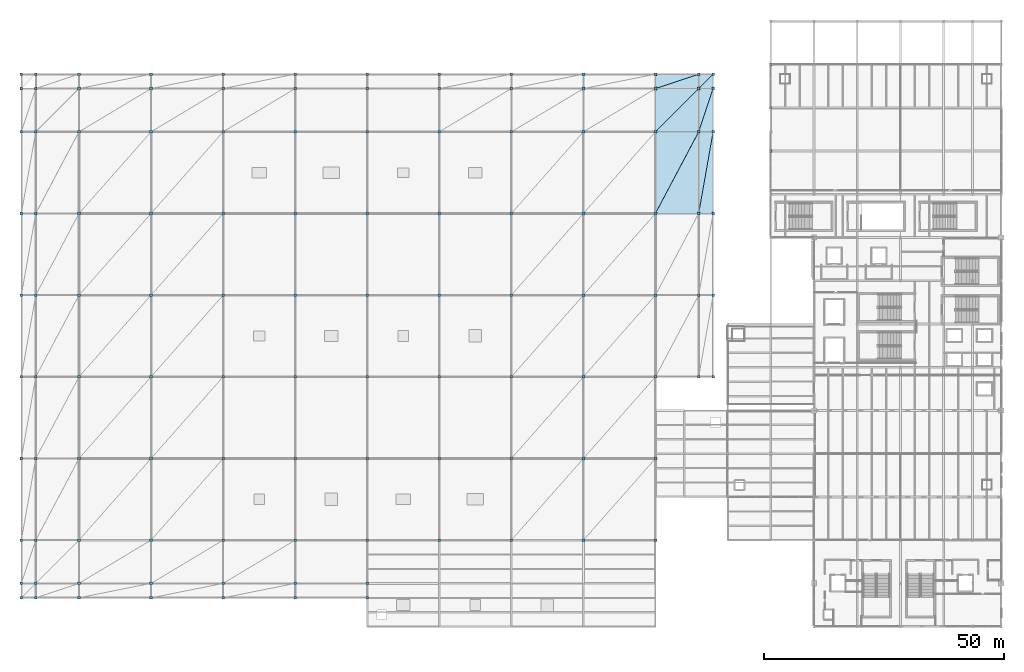
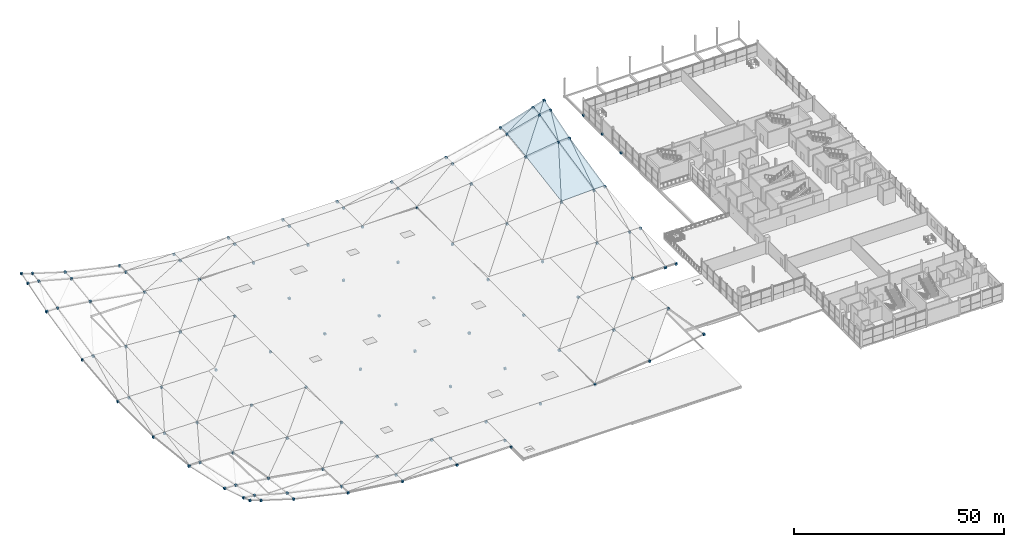
# One storey, part 57 of 69: 117 discrete accessories, 12 roofs.
"""IFC4 building model written with IfcOpenShell, lengths in metres."""

from ifc_helpers import new_model, si_unit, direction, frame, origin, origin_2d, place, context, subcontext, project, spatial, polyline, rectangle, outline, extrude, material, layer, layer_set, type_object, element, save


model = new_model("IFC4")

# Units and contexts
model_context = context("Model", 3, precision=1e-05, world=origin(), true_north=direction((0.0, 1.0)))
body_context = subcontext(model_context, "Body", "Model", "MODEL_VIEW")
ifc_project = project(units=[si_unit("LENGTHUNIT", "METRE"), si_unit("AREAUNIT", "SQUARE_METRE"), si_unit("VOLUMEUNIT", "CUBIC_METRE"), si_unit("PLANEANGLEUNIT", "RADIAN"), si_unit("MASSUNIT", "GRAM", prefix="KILO")], contexts=[model_context])

# Site, building, storey
site_placement = place(None, origin())
site = spatial("IfcSite", under=ifc_project, at=site_placement, CompositionType="ELEMENT")
building_placement = place(site_placement, origin())
building = spatial("IfcBuilding", under=site, at=building_placement, Name="Qamarlyn Nura Convention Centre", CompositionType="ELEMENT")
storey_placement = place(building_placement, frame((0.0, 0.0, 15.60009765625)))
storey = spatial("IfcBuildingStorey", under=building, at=storey_placement, Name="L03", CompositionType="ELEMENT", Elevation=15.60009765625)

# Roofs
ifc_material_1 = material(Name="High-albedo standing-seam insulated steel roof", Category="steel")
ifc_layer = layer(ifc_material_1, 0.199951171875, Name="ROOF-CROWN-FREE")
ifc_layer_set = layer_set([ifc_layer], Name="High-albedo standing-seam insulated steel roof")
roof_type = type_object("IfcRoofType", Name="ROOF-CROWN-FREE", PredefinedType="FREEFORM", material=ifc_layer_set)
roof_1_placement = place(storey_placement, frame((120.0, 86.0, 1.663818359375), z_axis=(-0.037809577031, -0.211053467336, 0.976742990664), x_axis=(0.999251614623, 0.0, 0.038680882543)))
element("IfcRoof", 1, at=roof_1_placement, inside=storey, type_object=roof_type, Name="Exhibition swept roof facet 10-6A", PredefinedType="FREEFORM", context=body_context, shape_type="SweptSolid", body=[
    extrude(outline(polyline([(0.0, 0.0), (9.006740512898704, -1.3877787807814457e-17), (9.148828539935437, 17.391757720260884), (0.0, 0.0)])), origin(), (0.0, 0.0, -1.0), 0.199951171875),
])
roof_2_placement = place(storey_placement, frame((120.0, 86.0, 1.663818359375), z_axis=(-0.129481811388, -0.162846477275, 0.978118339138), x_axis=(0.457984547754, 0.865081923535, 0.204654390602)))
element("IfcRoof", 2, at=roof_2_placement, inside=storey, type_object=roof_type, Name="Exhibition swept roof facet 10-6B", PredefinedType="FREEFORM", context=body_context, shape_type="SweptSolid", body=[
    extrude(outline(polyline([(0.0, 0.0), (19.651318028401842, -3.885780586188048e-16), (15.285630578566401, 7.95991343815298), (0.0, 0.0)])), origin(), (0.0, 0.0, -1.0), 0.199951171875),
])
roof_3_placement = place(storey_placement, frame((120.0, 103.0, 4.494140625), z_axis=(-0.126718238073, -0.260058023422, 0.95724203449), x_axis=(0.991351473464, 0.0, 0.131233593492)))
element("IfcRoof", 3, at=roof_3_placement, inside=storey, type_object=roof_type, Name="Exhibition swept roof facet 10-7A", PredefinedType="FREEFORM", context=body_context, shape_type="SweptSolid", body=[
    extrude(outline(polyline([(0.0, 0.0), (9.078515784672023, -1.1102230246251565e-16), (9.399390891807375, 9.320697315525143), (0.0, 0.0)])), origin(), (0.0, 0.0, -1.0), 0.199951171875),
])
roof_4_placement = place(storey_placement, frame((120.0, 103.0, 4.494140625), z_axis=(-0.260058023422, -0.126718238073, 0.95724203449), x_axis=(0.679901155587, 0.679901155587, 0.27471592102)))
element("IfcRoof", 4, at=roof_4_placement, inside=storey, type_object=roof_type, Name="Exhibition swept roof facet 10-7B", PredefinedType="FREEFORM", context=body_context, shape_type="SweptSolid", body=[
    extrude(outline(polyline([(0.0, 0.0), (13.237218272153294, -1.1102230246251565e-16), (6.446408665564345, 6.392438045775334), (0.0, 0.0)])), origin(), (0.0, 0.0, -1.0), 0.199951171875),
])
roof_5_placement = place(storey_placement, frame((120.0, 112.0, 5.685546875), z_axis=(-0.259895092204, -0.131491605811, 0.956642304443), x_axis=(0.965021310393, 0.0, 0.262171452463)))
element("IfcRoof", 5, at=roof_5_placement, inside=storey, type_object=roof_type, Name="Exhibition swept roof facet 10-8A", PredefinedType="FREEFORM", context=body_context, shape_type="SweptSolid", body=[
    extrude(outline(polyline([(0.0, 0.0), (9.326218916689484, 5.551115123125783e-17), (9.434326236809053, 3.0262762975618833), (0.0, 0.0)])), origin(), (0.0, 0.0, -1.0), 0.199951171875),
])
roof_6_placement = place(storey_placement, frame((120.0, 112.0, 5.685546875), z_axis=(-0.292610116909, -0.032431581133, 0.955681700164), x_axis=(0.908373558823, 0.302791186274, 0.288400719739)))
element("IfcRoof", 6, at=roof_6_placement, inside=storey, type_object=roof_type, Name="Exhibition swept roof facet 10-8B", PredefinedType="FREEFORM", context=body_context, shape_type="SweptSolid", body=[
    extrude(outline(polyline([(0.0, 0.0), (9.907818113577202, 2.220446049250313e-16), (0.9377346672533607, 2.8514940445153623), (0.0, 0.0)])), origin(), (0.0, 0.0, -1.0), 0.199951171875),
])
roof_7_placement = place(storey_placement, frame((129.0, 86.0, 2.01220703125), z_axis=(-0.008264592347, -0.215388926235, 0.976493372721), x_axis=(0.999964186155, 0.0, 0.008463238555)))
element("IfcRoof", 7, at=roof_7_placement, inside=storey, type_object=roof_type, Name="Exhibition swept roof facet 11-6A", PredefinedType="FREEFORM", context=body_context, shape_type="SweptSolid", body=[
    extrude(outline(polyline([(0.0, 0.0), (3.00010744538223, 0.0), (3.031842523742003, 17.40860884418162), (0.0, 0.0)])), origin(), (0.0, 0.0, -1.0), 0.199951171875),
])
roof_8_placement = place(storey_placement, frame((129.0, 86.0, 2.01220703125), z_axis=(-0.033151792737, -0.211088393366, 0.976904626268), x_axis=(0.169773079919, 0.962047452873, 0.213639415266)))
element("IfcRoof", 8, at=roof_8_placement, inside=storey, type_object=roof_type, Name="Exhibition swept roof facet 11-6B", PredefinedType="FREEFORM", context=body_context, shape_type="SweptSolid", body=[
    extrude(outline(polyline([(0.0, 0.0), (17.67064602606506, -4.371503159461554e-16), (17.139576875135372, 2.954374747557622), (0.0, 0.0)])), origin(), (0.0, 0.0, -1.0), 0.199951171875),
])
roof_9_placement = place(storey_placement, frame((129.0, 103.0, 5.685546875), z_axis=(-0.032431581133, -0.292610116909, 0.955681700164), x_axis=(0.999424686189, 0.0, 0.033916023286)))
element("IfcRoof", 9, at=roof_9_placement, inside=storey, type_object=roof_type, Name="Exhibition swept roof facet 11-7A", PredefinedType="FREEFORM", context=body_context, shape_type="SweptSolid", body=[
    extrude(outline(polyline([(0.0, 0.0), (3.001726934961831, -3.469446951953614e-18), (3.09518644541872, 9.411943510233407), (0.0, 0.0)])), origin(), (0.0, 0.0, -1.0), 0.199951171875),
])
roof_10_placement = place(storey_placement, frame((129.0, 103.0, 5.685546875), z_axis=(-0.131491605811, -0.259895092204, 0.956642304443), x_axis=(0.302791186274, 0.908373558823, 0.288400719739)))
element("IfcRoof", 10, at=roof_10_placement, inside=storey, type_object=roof_type, Name="Exhibition swept roof facet 11-7B", PredefinedType="FREEFORM", context=body_context, shape_type="SweptSolid", body=[
    extrude(outline(polyline([(0.0, 0.0), (9.907818113577202, -3.191891195797325e-16), (8.880521504061106, 2.848630740886756), (0.0, 0.0)])), origin(), (0.0, 0.0, -1.0), 0.199951171875),
])
roof_11_placement = place(storey_placement, frame((129.0, 112.0, 8.130615234375), z_axis=(-0.128828239555, -0.323939332973, 0.937265487067), x_axis=(0.990685366619, 0.0, 0.136170864601)))
element("IfcRoof", 11, at=roof_11_placement, inside=storey, type_object=roof_type, Name="Exhibition swept roof facet 11-8A", PredefinedType="FREEFORM", context=body_context, shape_type="SweptSolid", body=[
    extrude(outline(polyline([(0.0, 0.0), (3.0282066346021197, 0.0), (3.1693974700419374, 3.1709863863226104), (0.0, 0.0)])), origin(), (0.0, 0.0, -1.0), 0.199951171875),
])
roof_12_placement = place(storey_placement, frame((129.0, 112.0, 8.130615234375), z_axis=(-0.323939332973, -0.128828239555, 0.937265487067), x_axis=(0.669145693701, 0.669145693701, 0.323246161931)))
element("IfcRoof", 12, at=roof_12_placement, inside=storey, type_object=roof_type, Name="Exhibition swept roof facet 11-8B", PredefinedType="FREEFORM", context=body_context, shape_type="SweptSolid", body=[
    extrude(outline(polyline([(0.0, 0.0), (4.483328560941254, 0.0), (2.1407287723871846, 2.141801985460364), (0.0, 0.0)])), origin(), (0.0, 0.0, -1.0), 0.199951171875),
])

# Discrete accessories
ifc_material_2 = material(Name="Pearl-white PVDF steel ASTM A500 Grade C", Category="steel")
discrete_accessory_type = type_object("IfcDiscreteAccessoryType", Name="ACC-SF-NODE", PredefinedType="USERDEFINED", material=ifc_material_2)
for number, where, z_axis, x_axis, name in (
    (13, (-12.0, 6.0, 8.919921875), (0.0, 0.0, 1.0), (1.0, 0.0, 0.0), "Cast space frame node TC-0-0"),
    (14, (-12.0, 9.0, 7.8828125), (0.0, 0.0, 1.0), (1.0, 0.0, 0.0), "Cast space frame node TC-0-1"),
    (15, (-12.0, 18.0, 5.127197265625), (0.0, 0.0, 1.0), (1.0, 0.0, 0.0), "Cast space frame node TC-0-2"),
    (16, (-12.0, 35.0, 1.37744140625), (0.0, 0.0, 1.0), (1.0, 0.0, 0.0), "Cast space frame node TC-0-3"),
    (17, (-12.0, 52.0, -0.469482421875), (0.0, 0.0, 1.0), (1.0, 0.0, 0.0), "Cast space frame node TC-0-4"),
    (18, (-12.0, 69.0, -0.469482421875), (0.0, 0.0, 1.0), (1.0, 0.0, 0.0), "Cast space frame node TC-0-5"),
    (19, (-12.0, 86.0, 1.37744140625), (0.0, 0.0, 1.0), (1.0, 0.0, 0.0), "Cast space frame node TC-0-6"),
    (20, (-12.0, 103.0, 5.127197265625), (0.0, 0.0, 1.0), (1.0, 0.0, 0.0), "Cast space frame node TC-0-7"),
    (21, (-12.0, 112.0, 7.8828125), (0.0, 0.0, 1.0), (1.0, 0.0, 0.0), "Cast space frame node TC-0-8"),
    (22, (-12.0, 115.0, 8.919921875), (0.0, 0.0, 1.0), (1.0, 0.0, 0.0), "Cast space frame node TC-0-9"),
    (23, (-9.0, 6.0, 7.8828125), (0.0, 0.0, 1.0), (1.0, 0.0, 0.0), "Cast space frame node TC-1-0"),
    (24, (-9.0, 9.0, 7.470703125), (0.0, 0.0, 1.0), (1.0, 0.0, 0.0), "Cast space frame node TC-1-1"),
    (25, (-9.0, 18.0, 5.025634765625), (0.0, 0.0, 1.0), (1.0, 0.0, 0.0), "Cast space frame node TC-1-2"),
    (26, (-9.0, 35.0, 1.35205078125), (0.0, 0.0, 1.0), (1.0, 0.0, 0.0), "Cast space frame node TC-1-3"),
    (27, (-9.0, 52.0, -0.474609375), (0.0, 0.0, 1.0), (1.0, 0.0, 0.0), "Cast space frame node TC-1-4"),
    (28, (-9.0, 69.0, -0.474609375), (0.0, 0.0, 1.0), (1.0, 0.0, 0.0), "Cast space frame node TC-1-5"),
    (29, (-9.0, 86.0, 1.35205078125), (0.0, 0.0, 1.0), (1.0, 0.0, 0.0), "Cast space frame node TC-1-6"),
    (30, (-9.0, 103.0, 5.025634765625), (0.0, 0.0, 1.0), (1.0, 0.0, 0.0), "Cast space frame node TC-1-7"),
    (31, (-9.0, 112.0, 7.470703125), (0.0, 0.0, 1.0), (1.0, 0.0, 0.0), "Cast space frame node TC-1-8"),
    (32, (-9.0, 115.0, 7.8828125), (0.0, 0.0, 1.0), (1.0, 0.0, 0.0), "Cast space frame node TC-1-9"),
    (33, (120.0, 18.0, 3.833984375), (0.0, 0.0, 1.0), (1.0, 0.0, 0.0), "Cast space frame node TC-10-2"),
    (34, (120.0, 35.0, 1.003662109375), (0.0, 0.0, 1.0), (1.0, 0.0, 0.0), "Cast space frame node TC-10-3"),
    (35, (120.0, 52.0, -0.542724609375), (0.0, 0.0, 1.0), (1.0, 0.0, 0.0), "Cast space frame node TC-10-4"),
    (36, (120.0, 69.0, -0.542724609375), (0.0, 0.0, 1.0), (1.0, 0.0, 0.0), "Cast space frame node TC-10-5"),
    (37, (120.0, 86.0, 1.003662109375), (0.0, 0.0, 1.0), (1.0, 0.0, 0.0), "Cast space frame node TC-10-6"),
    (38, (120.0, 103.0, 3.833984375), (0.0, 0.0, 1.0), (1.0, 0.0, 0.0), "Cast space frame node TC-10-7"),
    (39, (120.0, 112.0, 5.025634765625), (0.0, 0.0, 1.0), (1.0, 0.0, 0.0), "Cast space frame node TC-10-8"),
    (40, (120.0, 115.0, 5.127197265625), (0.0, 0.0, 1.0), (1.0, 0.0, 0.0), "Cast space frame node TC-10-9"),
    (41, (129.0, 52.0, -0.474609375), (0.0, 0.0, 1.0), (1.0, 0.0, 0.0), "Cast space frame node TC-11-4"),
    (42, (129.0, 69.0, -0.474609375), (0.0, 0.0, 1.0), (1.0, 0.0, 0.0), "Cast space frame node TC-11-5"),
    (43, (129.0, 86.0, 1.35205078125), (0.0, 0.0, 1.0), (1.0, 0.0, 0.0), "Cast space frame node TC-11-6"),
    (44, (129.0, 103.0, 5.025634765625), (0.0, 0.0, 1.0), (1.0, 0.0, 0.0), "Cast space frame node TC-11-7"),
    (45, (129.0, 112.0, 7.470703125), (0.0, 0.0, 1.0), (1.0, 0.0, 0.0), "Cast space frame node TC-11-8"),
    (46, (129.0, 115.0, 7.8828125), (0.0, 0.0, 1.0), (1.0, 0.0, 0.0), "Cast space frame node TC-11-9"),
    (47, (132.0, 52.0, -0.469482421875), (0.0, 0.0, 1.0), (1.0, 0.0, 0.0), "Cast space frame node TC-12-4"),
    (48, (132.0, 69.0, -0.469482421875), (0.0, 0.0, 1.0), (1.0, 0.0, 0.0), "Cast space frame node TC-12-5"),
    (49, (132.0, 86.0, 1.37744140625), (0.0, 0.0, 1.0), (1.0, 0.0, 0.0), "Cast space frame node TC-12-6"),
    (50, (132.0, 103.0, 5.127197265625), (0.0, 0.0, 1.0), (1.0, 0.0, 0.0), "Cast space frame node TC-12-7"),
    (51, (132.0, 112.0, 7.8828125), (0.0, 0.0, 1.0), (1.0, 0.0, 0.0), "Cast space frame node TC-12-8"),
    (52, (132.0, 115.0, 8.919921875), (0.0, 0.0, 1.0), (1.0, 0.0, 0.0), "Cast space frame node TC-12-9"),
    (53, (0.0, 6.0, 5.127197265625), (0.0, 0.0, 1.0), (1.0, 0.0, 0.0), "Cast space frame node TC-2-0"),
    (54, (0.0, 9.0, 5.025634765625), (0.0, 0.0, 1.0), (1.0, 0.0, 0.0), "Cast space frame node TC-2-1"),
    (55, (0.0, 18.0, 3.833984375), (0.0, 0.0, 1.0), (1.0, 0.0, 0.0), "Cast space frame node TC-2-2"),
    (56, (0.0, 35.0, 1.003662109375), (0.0, 0.0, 1.0), (1.0, 0.0, 0.0), "Cast space frame node TC-2-3"),
    (57, (0.0, 52.0, -0.542724609375), (0.0, 0.0, 1.0), (1.0, 0.0, 0.0), "Cast space frame node TC-2-4"),
    (58, (0.0, 69.0, -0.542724609375), (0.0, 0.0, 1.0), (1.0, 0.0, 0.0), "Cast space frame node TC-2-5"),
    (59, (0.0, 86.0, 1.003662109375), (0.0, 0.0, 1.0), (1.0, 0.0, 0.0), "Cast space frame node TC-2-6"),
    (60, (0.0, 103.0, 3.833984375), (0.0, 0.0, 1.0), (1.0, 0.0, 0.0), "Cast space frame node TC-2-7"),
    (61, (0.0, 112.0, 5.025634765625), (0.0, 0.0, 1.0), (1.0, 0.0, 0.0), "Cast space frame node TC-2-8"),
    (62, (0.0, 115.0, 5.127197265625), (0.0, 0.0, 1.0), (1.0, 0.0, 0.0), "Cast space frame node TC-2-9"),
    (63, (15.0, 6.0, 1.719970703125), (0.0, 0.0, 1.0), (1.0, 0.0, 0.0), "Cast space frame node TC-3-0"),
    (64, (15.0, 9.0, 1.6904296875), (0.0, 0.0, 1.0), (1.0, 0.0, 0.0), "Cast space frame node TC-3-1"),
    (65, (15.0, 18.0, 1.28857421875), (0.0, 0.0, 1.0), (1.0, 0.0, 0.0), "Cast space frame node TC-3-2"),
    (66, (15.0, 35.0, 0.00048828125), (0.0, 0.0, 1.0), (1.0, 0.0, 0.0), "Cast space frame node TC-3-3"),
    (67, (15.0, 52.0, -0.6787109375), (0.0, 0.0, 1.0), (1.0, 0.0, 0.0), "Cast space frame node TC-3-4"),
    (68, (15.0, 69.0, -0.6787109375), (0.0, 0.0, 1.0), (1.0, 0.0, 0.0), "Cast space frame node TC-3-5"),
    (69, (15.0, 86.0, 0.00048828125), (0.0, 0.0, 1.0), (1.0, 0.0, 0.0), "Cast space frame node TC-3-6"),
    (70, (15.0, 103.0, 1.28857421875), (0.0, 0.0, 1.0), (1.0, 0.0, 0.0), "Cast space frame node TC-3-7"),
    (71, (15.0, 112.0, 1.6904296875), (0.0, 0.0, 1.0), (1.0, 0.0, 0.0), "Cast space frame node TC-3-8"),
    (72, (15.0, 115.0, 1.719970703125), (0.0, 0.0, 1.0), (1.0, 0.0, 0.0), "Cast space frame node TC-3-9"),
    (73, (30.0, 6.0, -0.2060546875), (0.0, 0.0, 1.0), (1.0, 0.0, 0.0), "Cast space frame node TC-4-0"),
    (74, (30.0, 9.0, -0.21435546875), (0.0, 0.0, 1.0), (1.0, 0.0, 0.0), "Cast space frame node TC-4-1"),
    (75, (30.0, 18.0, -0.32958984375), (0.0, 0.0, 1.0), (1.0, 0.0, 0.0), "Cast space frame node TC-4-2"),
    (76, (30.0, 35.0, -0.651123046875), (0.0, 0.0, 1.0), (1.0, 0.0, 0.0), "Cast space frame node TC-4-3"),
    (77, (30.0, 52.0, -0.68017578125), (0.0, 0.0, 1.0), (1.0, 0.0, 0.0), "Cast space frame node TC-4-4"),
    (78, (30.0, 69.0, -0.68017578125), (0.0, 0.0, 1.0), (1.0, 0.0, 0.0), "Cast space frame node TC-4-5"),
    (79, (30.0, 86.0, -0.651123046875), (0.0, 0.0, 1.0), (1.0, 0.0, 0.0), "Cast space frame node TC-4-6"),
    (80, (30.0, 103.0, -0.32958984375), (0.0, 0.0, 1.0), (1.0, 0.0, 0.0), "Cast space frame node TC-4-7"),
    (81, (30.0, 112.0, -0.21435546875), (0.0, 0.0, 1.0), (1.0, 0.0, 0.0), "Cast space frame node TC-4-8"),
    (82, (30.0, 115.0, -0.2060546875), (0.0, 0.0, 1.0), (1.0, 0.0, 0.0), "Cast space frame node TC-4-9"),
    (83, (45.0, 6.0, -0.68017578125), (0.0, 0.0, 1.0), (1.0, 0.0, 0.0), "Cast space frame node TC-5-0"),
    (84, (45.0, 9.0, -0.68017578125), (0.0, 0.0, 1.0), (1.0, 0.0, 0.0), "Cast space frame node TC-5-1"),
    (85, (45.0, 18.0, -0.68017578125), (0.0, 0.0, 1.0), (1.0, 0.0, 0.0), "Cast space frame node TC-5-2"),
    (86, (45.0, 35.0, -0.68017578125), (0.0, 0.0, 1.0), (1.0, 0.0, 0.0), "Cast space frame node TC-5-3"),
    (87, (45.0, 52.0, -0.68017578125), (0.0, 0.0, 1.0), (1.0, 0.0, 0.0), "Cast space frame node TC-5-4"),
    (88, (45.0, 69.0, -0.68017578125), (0.0, 0.0, 1.0), (1.0, 0.0, 0.0), "Cast space frame node TC-5-5"),
    (89, (45.0, 86.0, -0.68017578125), (0.0, 0.0, 1.0), (1.0, 0.0, 0.0), "Cast space frame node TC-5-6"),
    (90, (45.0, 103.0, -0.68017578125), (0.0, 0.0, 1.0), (1.0, 0.0, 0.0), "Cast space frame node TC-5-7"),
    (91, (45.0, 112.0, -0.68017578125), (0.0, 0.0, 1.0), (1.0, 0.0, 0.0), "Cast space frame node TC-5-8"),
    (92, (45.0, 115.0, -0.68017578125), (0.0, 0.0, 1.0), (1.0, 0.0, 0.0), "Cast space frame node TC-5-9"),
    (93, (60.0, 6.0, -0.68017578125), (0.0, 0.0, 1.0), (1.0, 0.0, 0.0), "Cast space frame node TC-6-0"),
    (94, (60.0, 9.0, -0.68017578125), (0.0, 0.0, 1.0), (1.0, 0.0, 0.0), "Cast space frame node TC-6-1"),
    (95, (60.0, 18.0, -0.68017578125), (0.0, 0.0, 1.0), (1.0, 0.0, 0.0), "Cast space frame node TC-6-2"),
    (96, (60.0, 35.0, -0.68017578125), (0.0, 0.0, 1.0), (1.0, 0.0, 0.0), "Cast space frame node TC-6-3"),
    (97, (60.0, 52.0, -0.68017578125), (0.0, 0.0, 1.0), (1.0, 0.0, 0.0), "Cast space frame node TC-6-4"),
    (98, (60.0, 69.0, -0.68017578125), (0.0, 0.0, 1.0), (1.0, 0.0, 0.0), "Cast space frame node TC-6-5"),
    (99, (60.0, 86.0, -0.68017578125), (0.0, 0.0, 1.0), (1.0, 0.0, 0.0), "Cast space frame node TC-6-6"),
    (100, (60.0, 103.0, -0.68017578125), (0.0, 0.0, 1.0), (1.0, 0.0, 0.0), "Cast space frame node TC-6-7"),
    (101, (60.0, 112.0, -0.68017578125), (0.0, 0.0, 1.0), (1.0, 0.0, 0.0), "Cast space frame node TC-6-8"),
    (102, (60.0, 115.0, -0.68017578125), (0.0, 0.0, 1.0), (1.0, 0.0, 0.0), "Cast space frame node TC-6-9"),
    (103, (75.0, 18.0, -0.68017578125), (0.0, 0.0, 1.0), (1.0, 0.0, 0.0), "Cast space frame node TC-7-2"),
    (104, (75.0, 35.0, -0.68017578125), (0.0, 0.0, 1.0), (1.0, 0.0, 0.0), "Cast space frame node TC-7-3"),
    (105, (75.0, 52.0, -0.68017578125), (0.0, 0.0, 1.0), (1.0, 0.0, 0.0), "Cast space frame node TC-7-4"),
    (106, (75.0, 69.0, -0.68017578125), (0.0, 0.0, 1.0), (1.0, 0.0, 0.0), "Cast space frame node TC-7-5"),
    (107, (75.0, 86.0, -0.68017578125), (0.0, 0.0, 1.0), (1.0, 0.0, 0.0), "Cast space frame node TC-7-6"),
    (108, (75.0, 103.0, -0.68017578125), (0.0, 0.0, 1.0), (1.0, 0.0, 0.0), "Cast space frame node TC-7-7"),
    (109, (75.0, 112.0, -0.68017578125), (0.0, 0.0, 1.0), (1.0, 0.0, 0.0), "Cast space frame node TC-7-8"),
    (110, (75.0, 115.0, -0.68017578125), (0.0, 0.0, 1.0), (1.0, 0.0, 0.0), "Cast space frame node TC-7-9"),
    (111, (90.0, 18.0, -0.32958984375), (0.0, 0.0, 1.0), (1.0, 0.0, 0.0), "Cast space frame node TC-8-2"),
    (112, (90.0, 35.0, -0.651123046875), (0.0, 0.0, 1.0), (1.0, 0.0, 0.0), "Cast space frame node TC-8-3"),
    (113, (90.0, 52.0, -0.68017578125), (0.0, 0.0, 1.0), (1.0, 0.0, 0.0), "Cast space frame node TC-8-4"),
    (114, (90.0, 69.0, -0.68017578125), (0.0, 0.0, 1.0), (1.0, 0.0, 0.0), "Cast space frame node TC-8-5"),
    (115, (90.0, 86.0, -0.651123046875), (0.0, 0.0, 1.0), (1.0, 0.0, 0.0), "Cast space frame node TC-8-6"),
    (116, (90.0, 103.0, -0.32958984375), (0.0, 0.0, 1.0), (1.0, 0.0, 0.0), "Cast space frame node TC-8-7"),
    (117, (90.0, 112.0, -0.21435546875), (0.0, 0.0, 1.0), (1.0, 0.0, 0.0), "Cast space frame node TC-8-8"),
    (118, (90.0, 115.0, -0.2060546875), (0.0, 0.0, 1.0), (1.0, 0.0, 0.0), "Cast space frame node TC-8-9"),
    (119, (105.0, 18.0, 1.28857421875), (0.0, 0.0, 1.0), (1.0, 0.0, 0.0), "Cast space frame node TC-9-2"),
    (120, (105.0, 35.0, 0.00048828125), (0.0, 0.0, 1.0), (1.0, 0.0, 0.0), "Cast space frame node TC-9-3"),
    (121, (105.0, 52.0, -0.6787109375), (0.0, 0.0, 1.0), (1.0, 0.0, 0.0), "Cast space frame node TC-9-4"),
    (122, (105.0, 69.0, -0.6787109375), (0.0, 0.0, 1.0), (1.0, 0.0, 0.0), "Cast space frame node TC-9-5"),
    (123, (105.0, 86.0, 0.00048828125), (0.0, 0.0, 1.0), (1.0, 0.0, 0.0), "Cast space frame node TC-9-6"),
    (124, (105.0, 103.0, 1.28857421875), (0.0, 0.0, 1.0), (1.0, 0.0, 0.0), "Cast space frame node TC-9-7"),
    (125, (105.0, 112.0, 1.6904296875), (0.0, 0.0, 1.0), (1.0, 0.0, 0.0), "Cast space frame node TC-9-8"),
    (126, (105.0, 115.0, 1.719970703125), (0.0, 0.0, 1.0), (1.0, 0.0, 0.0), "Cast space frame node TC-9-9"),
):
    element("IfcDiscreteAccessory", number, at=place(storey_placement, frame(where, z_axis=z_axis, x_axis=x_axis)), inside=storey, type_object=discrete_accessory_type, Name=name, ObjectType="SPACE FRAME NODE", PredefinedType="USERDEFINED", context=body_context, shape_type="SweptSolid", body=[
        extrude(rectangle(XDim=0.56005859375, YDim=0.56005859375, at=origin_2d()), origin(), (0.0, 0.0, 1.0), 0.56005859375),
    ])
for number, where, z_axis, x_axis, name in (
    (127, (144.0, 99.0, -0.77490234375), (0.0, 0.0, 1.0), (1.0, 0.0, 0.0), "Plenary truss node 99-144"),
    (128, (144.0, 108.0, -0.77490234375), (0.0, 0.0, 1.0), (1.0, 0.0, 0.0), "Plenary truss node 108-144"),
    (129, (144.0, 117.0, -0.77490234375), (0.0, 0.0, 1.0), (1.0, 0.0, 0.0), "Plenary truss node 117-144"),
):
    element("IfcDiscreteAccessory", number, at=place(storey_placement, frame(where, z_axis=z_axis, x_axis=x_axis)), inside=storey, type_object=discrete_accessory_type, Name=name, ObjectType="SPACE FRAME NODE", PredefinedType="USERDEFINED", context=body_context, shape_type="SweptSolid", body=[
        extrude(rectangle(XDim=0.550048828125, YDim=0.550048828125, at=origin_2d()), origin(), (0.0, 0.0, 1.0), 0.550048828125),
    ])

save(model, "model.ifc")
